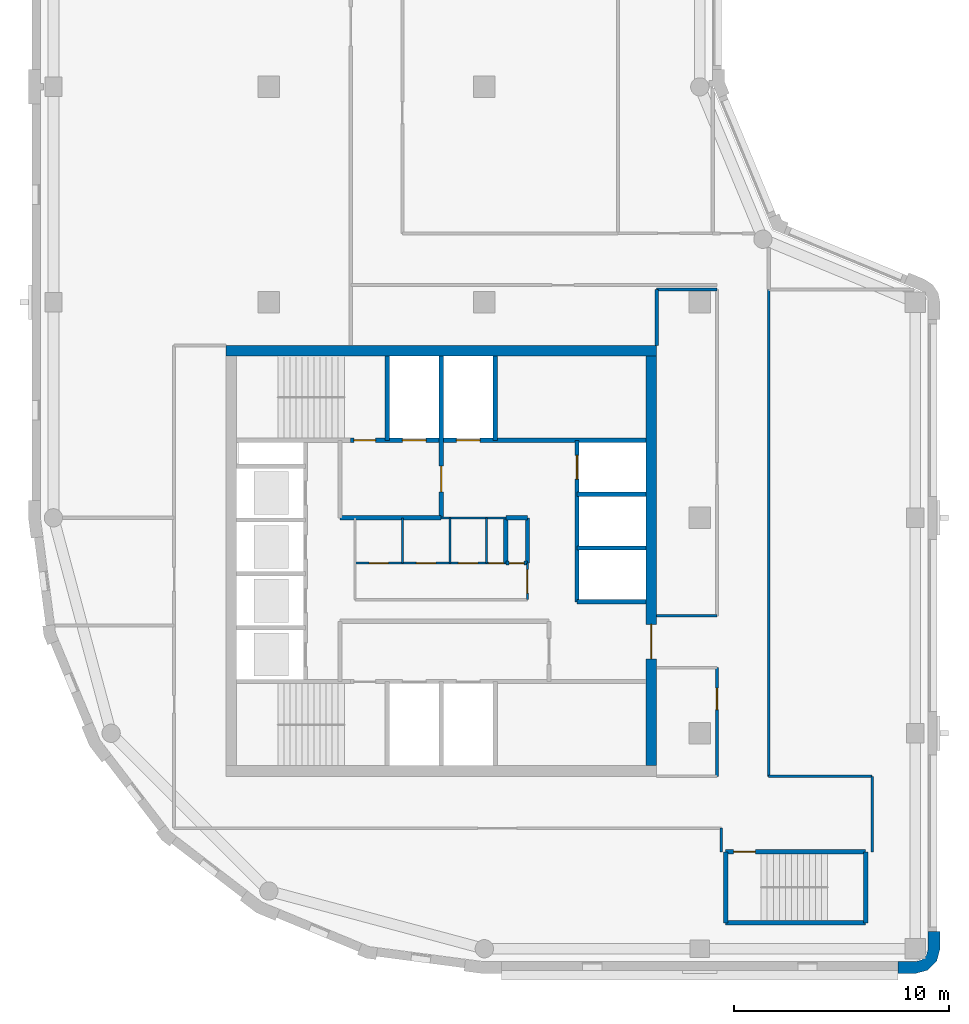
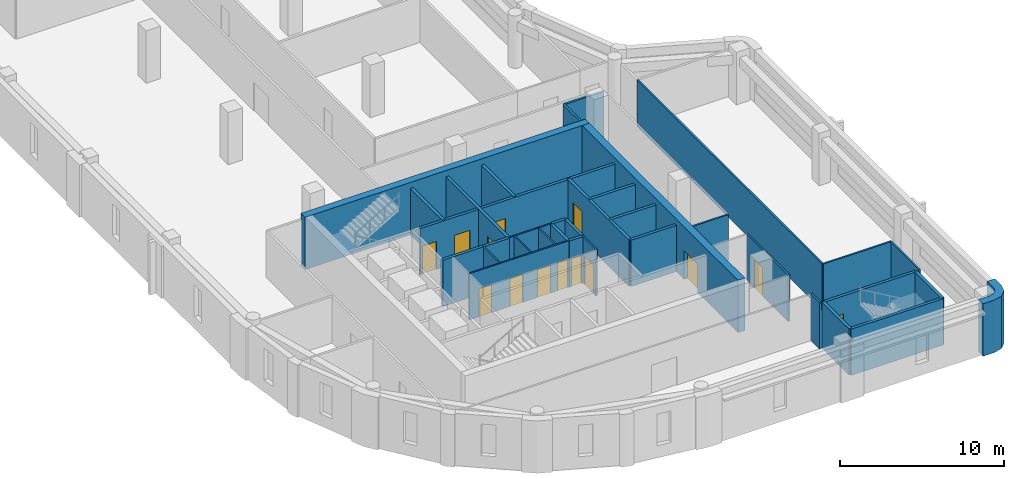
# One storey, part 3 of 8: 34 walls, 14 doors, 14 openings.
"""IFC4 building model written with IfcOpenShell, lengths in metres."""

from ifc_helpers import new_model, si_unit, direction, frame, frame_2d, origin, place, context, subcontext, project, spatial, polyline, rectangle, outline, extrude, material, layer, layer_set, type_object, element, fill, save


model = new_model("IFC4")

# Units and contexts
model_context = context("Model", 3, precision=1e-05, world=origin(), true_north=direction((0.0, 1.0)))
body_context = subcontext(model_context, "Body", "Model", "MODEL_VIEW")
ifc_project = project(units=[si_unit("LENGTHUNIT", "METRE"), si_unit("AREAUNIT", "SQUARE_METRE"), si_unit("VOLUMEUNIT", "CUBIC_METRE"), si_unit("PLANEANGLEUNIT", "RADIAN"), si_unit("MASSUNIT", "GRAM", prefix="KILO")], contexts=[model_context])

# Site, building, storey
site_placement = place(None, origin())
site = spatial("IfcSite", under=ifc_project, at=site_placement, CompositionType="ELEMENT")
building_placement = place(site_placement, origin())
building = spatial("IfcBuilding", under=site, at=building_placement, Name="Qaws Garden Tower", CompositionType="ELEMENT")
storey_placement = place(building_placement, frame((0.0, 0.0, 348.89990234375)))
storey = spatial("IfcBuildingStorey", under=building, at=storey_placement, Name="L85", CompositionType="ELEMENT", Elevation=348.89990234375)

# Wall
ifc_material_1 = material(Name="Buff clay facing brick masonry", Category="masonry")
ifc_layer_1 = layer(ifc_material_1, 0.550048828125)
ifc_layer_set_1 = layer_set([ifc_layer_1], Name="Buff clay facing brick masonry")
wall_type_1 = type_object("IfcWallType", Name="Buff brick corner pier 550 x 2400", PredefinedType="SOLIDWALL", material=ifc_layer_set_1)
wall_1_placement = place(storey_placement, origin())
element("IfcWall", 1, at=wall_1_placement, inside=storey, type_object=wall_type_1, Name="E-L85-pier-02", PredefinedType="SOLIDWALL", context=body_context, shape_type="SweptSolid", body=[
    extrude(outline(polyline([(39.199951171875, -1.0), (39.199951171875, -1.14990234375), (40.0, -1.14990234375), (40.574951171875, -0.995849609375), (40.995849609375, -0.574951171875), (41.14990234375, 0.0), (41.14990234375, 0.800048828125), (41.0, 0.800048828125), (40.60009765625, 0.800048828125), (40.60009765625, 0.0), (40.51953125, -0.300048828125), (40.300048828125, -0.51953125), (40.0, -0.60009765625), (39.199951171875, -0.60009765625), (39.199951171875, -1.0)])), origin(), (0.0, 0.0, 1.0), 3.900146484375),
])

# Wall, openings, doors
ifc_material_2 = material(Name="Plasterboard")
ifc_layer_2 = layer(ifc_material_2, 0.10009765625)
ifc_layer_set_2 = layer_set([ifc_layer_2], Name="Plasterboard")
wall_type_2 = type_object("IfcWallType", Name="Core partition 100", PredefinedType="PARTITIONING", material=ifc_layer_set_2)
wall_2_placement = place(storey_placement, frame((14.0, 17.89990234375, 0.0), z_axis=(0.0, 0.0, 1.0), x_axis=(1.0, 0.0, 0.0)))
wall_2 = element("IfcWall", 2, at=wall_2_placement, inside=storey, type_object=wall_type_2, Name="Core partition", PredefinedType="PARTITIONING", context=body_context, shape_type="SweptSolid", body=[
    extrude(rectangle(XDim=7.0, YDim=0.10009765625, at=frame_2d((3.5, 0.0))), origin(), (0.0, 0.0, 1.0), 3.4501953125),
])
opening_1_placement = place(wall_2_placement, frame((0.64990234375, 0.0, 0.0)))
opening_1 = element("IfcOpeningElement", 3, at=opening_1_placement, cuts=wall_2, Name="Opening WD18", PredefinedType="OPENING", context=body_context, shape_type="SweptSolid", body=[
    extrude(rectangle(XDim=0.89990234375, YDim=2.10009765625, at=frame_2d((0.449951171875, 1.050048828125))), frame((0.0, 0.06005859375, 0.0), z_axis=(0.0, -1.0, 0.0), x_axis=(1.0, 0.0, 0.0)), (0.0, 0.0, 1.0), 0.1201171875),
])
opening_2_placement = place(wall_2_placement, frame((2.85009765625, 0.0, 0.0)))
opening_2 = element("IfcOpeningElement", 4, at=opening_2_placement, cuts=wall_2, Name="Opening WD19", PredefinedType="OPENING", context=body_context, shape_type="SweptSolid", body=[
    extrude(rectangle(XDim=0.89990234375, YDim=2.10009765625, at=frame_2d((0.449951171875, 1.050048828125))), frame((0.0, 0.06005859375, 0.0), z_axis=(0.0, -1.0, 0.0), x_axis=(1.0, 0.0, 0.0)), (0.0, 0.0, 1.0), 0.1201171875),
])
opening_3_placement = place(wall_2_placement, frame((4.800048828125, 0.0, 0.0)))
opening_3 = element("IfcOpeningElement", 5, at=opening_3_placement, cuts=wall_2, Name="Opening WD20", PredefinedType="OPENING", context=body_context, shape_type="SweptSolid", body=[
    extrude(rectangle(XDim=0.89990234375, YDim=2.10009765625, at=frame_2d((0.449951171875, 1.050048828125))), frame((0.0, 0.06005859375, 0.0), z_axis=(0.0, -1.0, 0.0), x_axis=(1.0, 0.0, 0.0)), (0.0, 0.0, 1.0), 0.1201171875),
])
opening_4_placement = place(wall_2_placement, frame((6.199951171875, 0.0, 0.0)))
opening_4 = element("IfcOpeningElement", 6, at=opening_4_placement, cuts=wall_2, Name="Opening XD21", PredefinedType="OPENING", context=body_context, shape_type="SweptSolid", body=[
    extrude(rectangle(XDim=0.699951171875, YDim=2.10009765625, at=frame_2d((0.35009765625, 1.050048828125))), frame((0.0, 0.06005859375, 0.0), z_axis=(0.0, -1.0, 0.0), x_axis=(1.0, 0.0, 0.0)), (0.0, 0.0, 1.0), 0.1201171875),
])
ifc_material_3 = material(Name="Timber", Category="wood")
door_type_1 = type_object("IfcDoorType", Name="Store door 700x2100", OperationType="SINGLE_SWING_LEFT", PredefinedType="DOOR", material=ifc_material_3)
door_1_placement = place(opening_4_placement, origin())
door_1 = element("IfcDoor", 7, at=door_1_placement, inside=storey, type_object=door_type_1, Name="Cleaner's store door", OperationType="SINGLE_SWING_RIGHT", OverallHeight=2.10009765625, OverallWidth=0.699951171875, PredefinedType="DOOR", context=body_context, shape_type="SweptSolid", body=[
    extrude(rectangle(XDim=0.699951171875, YDim=2.10009765625, at=frame_2d((0.35009765625, 1.050048828125))), frame((0.0, 0.02490234375, 0.0), z_axis=(0.0, -1.0, 0.0), x_axis=(1.0, 0.0, 0.0)), (0.0, 0.0, 1.0), 0.050048828125),
])
fill(opening_4, door_1)
ifc_material_4 = material(Name="Timber", Category="wood")
door_type_2 = type_object("IfcDoorType", Name="WC door 900x2100", OperationType="SINGLE_SWING_LEFT", PredefinedType="DOOR", material=ifc_material_4)
door_2_placement = place(opening_1_placement, origin())
door_2 = element("IfcDoor", 8, at=door_2_placement, inside=storey, type_object=door_type_2, Name="Men's WC door", OperationType="SINGLE_SWING_RIGHT", OverallHeight=2.10009765625, OverallWidth=0.89990234375, PredefinedType="DOOR", context=body_context, shape_type="SweptSolid", body=[
    extrude(rectangle(XDim=0.89990234375, YDim=2.10009765625, at=frame_2d((0.449951171875, 1.050048828125))), frame((0.0, 0.02490234375, 0.0), z_axis=(0.0, -1.0, 0.0), x_axis=(1.0, 0.0, 0.0)), (0.0, 0.0, 1.0), 0.050048828125),
])
fill(opening_1, door_2)
door_3_placement = place(opening_2_placement, origin())
door_3 = element("IfcDoor", 9, at=door_3_placement, inside=storey, type_object=door_type_2, Name="Women's WC door", OperationType="SINGLE_SWING_RIGHT", OverallHeight=2.10009765625, OverallWidth=0.89990234375, PredefinedType="DOOR", context=body_context, shape_type="SweptSolid", body=[
    extrude(rectangle(XDim=0.89990234375, YDim=2.10009765625, at=frame_2d((0.449951171875, 1.050048828125))), frame((0.0, 0.02490234375, 0.0), z_axis=(0.0, -1.0, 0.0), x_axis=(1.0, 0.0, 0.0)), (0.0, 0.0, 1.0), 0.050048828125),
])
fill(opening_2, door_3)
door_4_placement = place(opening_3_placement, origin())
door_4 = element("IfcDoor", 10, at=door_4_placement, inside=storey, type_object=door_type_2, Name="Accessible WC door", OperationType="SINGLE_SWING_RIGHT", OverallHeight=2.10009765625, OverallWidth=0.89990234375, PredefinedType="DOOR", context=body_context, shape_type="SweptSolid", body=[
    extrude(rectangle(XDim=0.89990234375, YDim=2.10009765625, at=frame_2d((0.449951171875, 1.050048828125))), frame((0.0, 0.02490234375, 0.0), z_axis=(0.0, -1.0, 0.0), x_axis=(1.0, 0.0, 0.0)), (0.0, 0.0, 1.0), 0.050048828125),
])
fill(opening_3, door_4)

# Walls
wall_3_placement = place(storey_placement, frame((18.0, 20.0, 0.0), z_axis=(0.0, 0.0, 1.0), x_axis=(1.0, 0.0, 0.0)))
element("IfcWall", 11, at=wall_3_placement, inside=storey, type_object=wall_type_2, Name="Core partition", PredefinedType="PARTITIONING", context=body_context, shape_type="SweptSolid", body=[
    extrude(rectangle(XDim=3.0, YDim=0.10009765625, at=frame_2d((1.5, 0.0))), origin(), (0.0, 0.0, 1.0), 3.4501953125),
])
for number, where, z_axis, x_axis, name in (
    (12, (16.199951171875, 17.89990234375, 0.0), (0.0, 0.0, 1.0), (0.0, 1.0, 0.0), "Core partition"),
    (13, (18.39990234375, 17.89990234375, 0.0), (0.0, 0.0, 1.0), (0.0, 1.0, 0.0), "Core partition"),
    (14, (20.10009765625, 17.89990234375, 0.0), (0.0, 0.0, 1.0), (0.0, 1.0, 0.0), "Core partition"),
):
    element("IfcWall", number, at=place(storey_placement, frame(where, z_axis=z_axis, x_axis=x_axis)), inside=storey, type_object=wall_type_2, Name=name, PredefinedType="PARTITIONING", context=body_context, shape_type="SweptSolid", body=[
        extrude(rectangle(XDim=2.10009765625, YDim=0.10009765625, at=frame_2d((1.050048828125, 0.0))), origin(), (0.0, 0.0, 1.0), 3.4501953125),
    ])

# Wall, opening, door
wall_4_placement = place(storey_placement, frame((22.0, 16.199951171875, 0.0), z_axis=(0.0, 0.0, 1.0), x_axis=(0.0, 1.0, 0.0)))
wall_4 = element("IfcWall", 15, at=wall_4_placement, inside=storey, type_object=wall_type_2, Name="Core partition", PredefinedType="PARTITIONING", context=body_context, shape_type="SweptSolid", body=[
    extrude(rectangle(XDim=1.699951171875, YDim=0.10009765625, at=frame_2d((0.85009765625, 0.0))), origin(), (0.0, 0.0, 1.0), 3.4501953125),
])
opening_5_placement = place(wall_4_placement, frame((0.300048828125, 0.0, 0.0)))
opening_5 = element("IfcOpeningElement", 16, at=opening_5_placement, cuts=wall_4, Name="Opening WL17", PredefinedType="OPENING", context=body_context, shape_type="SweptSolid", body=[
    extrude(rectangle(XDim=1.10009765625, YDim=2.10009765625, at=frame_2d((0.550048828125, 1.050048828125))), frame((0.0, 0.06005859375, 0.0), z_axis=(0.0, -1.0, 0.0), x_axis=(1.0, 0.0, 0.0)), (0.0, 0.0, 1.0), 0.1201171875),
])
ifc_material_5 = material(Name="Timber", Category="wood")
door_type_3 = type_object("IfcDoorType", Name="WC lobby door 1100x2100", OperationType="SINGLE_SWING_LEFT", PredefinedType="DOOR", material=ifc_material_5)
door_5_placement = place(opening_5_placement, origin())
door_5 = element("IfcDoor", 17, at=door_5_placement, inside=storey, type_object=door_type_3, Name="WC lobby door", OperationType="SINGLE_SWING_RIGHT", OverallHeight=2.10009765625, OverallWidth=1.10009765625, PredefinedType="DOOR", context=body_context, shape_type="SweptSolid", body=[
    extrude(rectangle(XDim=1.10009765625, YDim=2.10009765625, at=frame_2d((0.550048828125, 1.050048828125))), frame((0.0, 0.02490234375, 0.0), z_axis=(0.0, -1.0, 0.0), x_axis=(1.0, 0.0, 0.0)), (0.0, 0.0, 1.0), 0.050048828125),
])
fill(opening_5, door_5)

# Wall
ifc_material_6 = material(Name="Concrete C60", Category="concrete")
ifc_layer_3 = layer(ifc_material_6, 0.199951171875)
ifc_layer_set_3 = layer_set([ifc_layer_3], Name="Concrete C60")
wall_type_3 = type_object("IfcWallType", Name="Core shaft wall 200 C60", PredefinedType="SHEAR", material=ifc_layer_set_3)
wall_5_placement = place(storey_placement, frame((31.199951171875, 1.199951171875, 0.0), z_axis=(0.0, 0.0, 1.0), x_axis=(1.0, 0.0, 0.0)))
element("IfcWall", 18, at=wall_5_placement, inside=storey, type_object=wall_type_3, Name="Shaft wall", PredefinedType="SHEAR", context=body_context, shape_type="SweptSolid", body=[
    extrude(rectangle(XDim=6.5, YDim=0.199951171875, at=frame_2d((3.25, 0.0))), origin(), (0.0, 0.0, 1.0), 3.4501953125),
])

# Wall, opening, door
wall_6_placement = place(storey_placement, frame((31.199951171875, 4.5, 0.0), z_axis=(0.0, 0.0, 1.0), x_axis=(1.0, 0.0, 0.0)))
wall_6 = element("IfcWall", 19, at=wall_6_placement, inside=storey, type_object=wall_type_3, Name="Shaft wall", PredefinedType="SHEAR", context=body_context, shape_type="SweptSolid", body=[
    extrude(rectangle(XDim=6.5, YDim=0.199951171875, at=frame_2d((3.25, 0.0))), origin(), (0.0, 0.0, 1.0), 3.4501953125),
])
opening_6_placement = place(wall_6_placement, frame((0.375, 0.0, 0.0)))
opening_6 = element("IfcOpeningElement", 20, at=opening_6_placement, cuts=wall_6, Name="Opening SD12", PredefinedType="OPENING", context=body_context, shape_type="SweptSolid", body=[
    extrude(rectangle(XDim=1.0, YDim=2.10009765625, at=frame_2d((0.5, 1.050048828125))), frame((0.0, 0.10986328125, 0.0), z_axis=(0.0, -1.0, 0.0), x_axis=(1.0, 0.0, 0.0)), (0.0, 0.0, 1.0), 0.219970703125),
])
ifc_material_7 = material(Name="Steel S235", Category="steel")
door_type_4 = type_object("IfcDoorType", Name="Stair door 1000x2100", OperationType="SINGLE_SWING_RIGHT", PredefinedType="DOOR", material=ifc_material_7)
door_6_placement = place(opening_6_placement, frame((1.0, 0.0, 0.0), z_axis=(0.0, 0.0, 1.0), x_axis=(-1.0, 0.0, 0.0)))
door_6 = element("IfcDoor", 21, at=door_6_placement, inside=storey, type_object=door_type_4, Name="Stair 5 door", OperationType="SINGLE_SWING_RIGHT", OverallHeight=2.10009765625, OverallWidth=1.0, PredefinedType="DOOR", context=body_context, shape_type="SweptSolid", body=[
    extrude(rectangle(XDim=1.0, YDim=2.10009765625, at=frame_2d((0.5, 1.050048828125))), frame((0.0, 0.02490234375, 0.0), z_axis=(0.0, -1.0, 0.0), x_axis=(1.0, 0.0, 0.0)), (0.0, 0.0, 1.0), 0.050048828125),
])
fill(opening_6, door_6)

# Wall
wall_7_placement = place(storey_placement, frame((24.300048828125, 16.10009765625, 0.0), z_axis=(0.0, 0.0, 1.0), x_axis=(1.0, 0.0, 0.0)))
element("IfcWall", 22, at=wall_7_placement, inside=storey, type_object=wall_type_3, Name="Shaft wall", PredefinedType="SHEAR", context=body_context, shape_type="SweptSolid", body=[
    extrude(rectangle(XDim=3.199951171875, YDim=0.199951171875, at=frame_2d((1.60009765625, 0.0))), origin(), (0.0, 0.0, 1.0), 3.4501953125),
])

# Wall, opening, door
wall_8_placement = place(storey_placement, frame((21.0, 17.89990234375, 0.0), z_axis=(0.0, 0.0, 1.0), x_axis=(1.0, 0.0, 0.0)))
wall_8 = element("IfcWall", 23, at=wall_8_placement, inside=storey, type_object=wall_type_3, Name="Shaft wall", PredefinedType="SHEAR", context=body_context, shape_type="SweptSolid", body=[
    extrude(rectangle(XDim=1.0, YDim=0.199951171875, at=frame_2d((0.5, 0.0))), origin(), (0.0, 0.0, 1.0), 3.4501953125),
])
opening_7_placement = place(wall_8_placement, frame((0.14990234375, 0.0, 0.0)))
opening_7 = element("IfcOpeningElement", 24, at=opening_7_placement, cuts=wall_8, Name="Opening XD22", PredefinedType="OPENING", context=body_context, shape_type="SweptSolid", body=[
    extrude(rectangle(XDim=0.699951171875, YDim=2.10009765625, at=frame_2d((0.35009765625, 1.050048828125))), frame((0.0, 0.10986328125, 0.0), z_axis=(0.0, -1.0, 0.0), x_axis=(1.0, 0.0, 0.0)), (0.0, 0.0, 1.0), 0.219970703125),
])
door_7_placement = place(opening_7_placement, origin())
door_7 = element("IfcDoor", 25, at=door_7_placement, inside=storey, type_object=door_type_1, Name="Telecom riser door", OperationType="SINGLE_SWING_RIGHT", OverallHeight=2.10009765625, OverallWidth=0.699951171875, PredefinedType="DOOR", context=body_context, shape_type="SweptSolid", body=[
    extrude(rectangle(XDim=0.699951171875, YDim=2.10009765625, at=frame_2d((0.35009765625, 1.050048828125))), frame((0.0, 0.02490234375, 0.0), z_axis=(0.0, -1.0, 0.0), x_axis=(1.0, 0.0, 0.0)), (0.0, 0.0, 1.0), 0.050048828125),
])
fill(opening_7, door_7)

# Walls
wall_9_placement = place(storey_placement, frame((24.300048828125, 18.60009765625, 0.0), z_axis=(0.0, 0.0, 1.0), x_axis=(1.0, 0.0, 0.0)))
element("IfcWall", 26, at=wall_9_placement, inside=storey, type_object=wall_type_3, Name="Shaft wall", PredefinedType="SHEAR", context=body_context, shape_type="SweptSolid", body=[
    extrude(rectangle(XDim=3.199951171875, YDim=0.199951171875, at=frame_2d((1.60009765625, 0.0))), origin(), (0.0, 0.0, 1.0), 3.4501953125),
])
wall_10_placement = place(storey_placement, frame((13.300048828125, 20.0, 0.0), z_axis=(0.0, 0.0, 1.0), x_axis=(1.0, 0.0, 0.0)))
element("IfcWall", 27, at=wall_10_placement, inside=storey, type_object=wall_type_3, Name="Shaft wall", PredefinedType="SHEAR", context=body_context, shape_type="SweptSolid", body=[
    extrude(rectangle(XDim=4.699951171875, YDim=0.199951171875, at=frame_2d((2.35009765625, 0.0))), origin(), (0.0, 0.0, 1.0), 3.4501953125),
])
wall_11_placement = place(storey_placement, frame((21.0, 20.0, 0.0), z_axis=(0.0, 0.0, 1.0), x_axis=(1.0, 0.0, 0.0)))
element("IfcWall", 28, at=wall_11_placement, inside=storey, type_object=wall_type_3, Name="Shaft wall", PredefinedType="SHEAR", context=body_context, shape_type="SweptSolid", body=[
    extrude(rectangle(XDim=1.0, YDim=0.199951171875, at=frame_2d((0.5, 0.0))), origin(), (0.0, 0.0, 1.0), 3.4501953125),
])
wall_12_placement = place(storey_placement, frame((24.300048828125, 21.10009765625, 0.0), z_axis=(0.0, 0.0, 1.0), x_axis=(1.0, 0.0, 0.0)))
element("IfcWall", 29, at=wall_12_placement, inside=storey, type_object=wall_type_3, Name="Shaft wall", PredefinedType="SHEAR", context=body_context, shape_type="SweptSolid", body=[
    extrude(rectangle(XDim=3.199951171875, YDim=0.199951171875, at=frame_2d((1.60009765625, 0.0))), origin(), (0.0, 0.0, 1.0), 3.4501953125),
])

# Wall, openings, doors
wall_13_placement = place(storey_placement, frame((13.800048828125, 23.60009765625, 0.0), z_axis=(0.0, 0.0, 1.0), x_axis=(1.0, 0.0, 0.0)))
wall_13 = element("IfcWall", 30, at=wall_13_placement, inside=storey, type_object=wall_type_3, Name="Shaft wall", PredefinedType="SHEAR", context=body_context, shape_type="SweptSolid", body=[
    extrude(rectangle(XDim=13.699951171875, YDim=0.199951171875, at=frame_2d((6.85009765625, 0.0))), origin(), (0.0, 0.0, 1.0), 3.4501953125),
])
opening_8_placement = place(wall_13_placement, frame((2.39990234375, 0.0, 0.0)))
opening_8 = element("IfcOpeningElement", 31, at=opening_8_placement, cuts=wall_13, Name="Opening LD08", PredefinedType="OPENING", context=body_context, shape_type="SweptSolid", body=[
    extrude(rectangle(XDim=1.10009765625, YDim=2.10009765625, at=frame_2d((0.550048828125, 1.050048828125))), frame((0.0, 0.10986328125, 0.0), z_axis=(0.0, -1.0, 0.0), x_axis=(1.0, 0.0, 0.0)), (0.0, 0.0, 1.0), 0.219970703125),
])
opening_9_placement = place(wall_13_placement, frame((4.89990234375, 0.0, 0.0)))
opening_9 = element("IfcOpeningElement", 32, at=opening_9_placement, cuts=wall_13, Name="Opening LD09", PredefinedType="OPENING", context=body_context, shape_type="SweptSolid", body=[
    extrude(rectangle(XDim=1.10009765625, YDim=2.10009765625, at=frame_2d((0.550048828125, 1.050048828125))), frame((0.0, 0.10986328125, 0.0), z_axis=(0.0, -1.0, 0.0), x_axis=(1.0, 0.0, 0.0)), (0.0, 0.0, 1.0), 0.219970703125),
])
opening_10_placement = place(wall_13_placement, frame((0.14990234375, 0.0, 0.0)))
opening_10 = element("IfcOpeningElement", 33, at=opening_10_placement, cuts=wall_13, Name="Opening SD11", PredefinedType="OPENING", context=body_context, shape_type="SweptSolid", body=[
    extrude(rectangle(XDim=1.0, YDim=2.10009765625, at=frame_2d((0.5, 1.050048828125))), frame((0.0, 0.10986328125, 0.0), z_axis=(0.0, -1.0, 0.0), x_axis=(1.0, 0.0, 0.0)), (0.0, 0.0, 1.0), 0.219970703125),
])
ifc_material_8 = material(Name="Steel S235", Category="steel")
door_type_5 = type_object("IfcDoorType", Name="Landing door 1100x2100", OperationType="DOUBLE_DOOR_SLIDING", PredefinedType="DOOR", material=ifc_material_8)
door_8_placement = place(opening_8_placement, origin())
door_8 = element("IfcDoor", 34, at=door_8_placement, inside=storey, type_object=door_type_5, Name="Lift FF3 landing door", OperationType="DOUBLE_DOOR_SLIDING", OverallHeight=2.10009765625, OverallWidth=1.10009765625, PredefinedType="DOOR", context=body_context, shape_type="SweptSolid", body=[
    extrude(rectangle(XDim=1.10009765625, YDim=2.10009765625, at=frame_2d((0.550048828125, 1.050048828125))), frame((0.0, 0.02490234375, 0.0), z_axis=(0.0, -1.0, 0.0), x_axis=(1.0, 0.0, 0.0)), (0.0, 0.0, 1.0), 0.050048828125),
])
fill(opening_8, door_8)
door_9_placement = place(opening_9_placement, origin())
door_9 = element("IfcDoor", 35, at=door_9_placement, inside=storey, type_object=door_type_5, Name="Lift SV2 landing door", OperationType="DOUBLE_DOOR_SLIDING", OverallHeight=2.10009765625, OverallWidth=1.10009765625, PredefinedType="DOOR", context=body_context, shape_type="SweptSolid", body=[
    extrude(rectangle(XDim=1.10009765625, YDim=2.10009765625, at=frame_2d((0.550048828125, 1.050048828125))), frame((0.0, 0.02490234375, 0.0), z_axis=(0.0, -1.0, 0.0), x_axis=(1.0, 0.0, 0.0)), (0.0, 0.0, 1.0), 0.050048828125),
])
fill(opening_9, door_9)
door_10_placement = place(opening_10_placement, origin())
door_10 = element("IfcDoor", 36, at=door_10_placement, inside=storey, type_object=door_type_4, Name="Stair 4 door", OperationType="SINGLE_SWING_RIGHT", OverallHeight=2.10009765625, OverallWidth=1.0, PredefinedType="DOOR", context=body_context, shape_type="SweptSolid", body=[
    extrude(rectangle(XDim=1.0, YDim=2.10009765625, at=frame_2d((0.5, 1.050048828125))), frame((0.0, 0.02490234375, 0.0), z_axis=(0.0, -1.0, 0.0), x_axis=(1.0, 0.0, 0.0)), (0.0, 0.0, 1.0), 0.050048828125),
])
fill(opening_10, door_10)

# Wall
wall_14_placement = place(storey_placement, frame((15.5, 23.60009765625, 0.0), z_axis=(0.0, 0.0, 1.0), x_axis=(0.0, 1.0, 0.0)))
element("IfcWall", 37, at=wall_14_placement, inside=storey, type_object=wall_type_3, Name="Shaft wall", PredefinedType="SHEAR", context=body_context, shape_type="SweptSolid", body=[
    extrude(rectangle(XDim=3.89990234375, YDim=0.199951171875, at=frame_2d((1.949951171875, 0.0))), origin(), (0.0, 0.0, 1.0), 3.4501953125),
])

# Wall, opening, door
wall_15_placement = place(storey_placement, frame((18.0, 20.0, 0.0), z_axis=(0.0, 0.0, 1.0), x_axis=(0.0, 1.0, 0.0)))
wall_15 = element("IfcWall", 38, at=wall_15_placement, inside=storey, type_object=wall_type_3, Name="Shaft wall", PredefinedType="SHEAR", context=body_context, shape_type="SweptSolid", body=[
    extrude(rectangle(XDim=7.5, YDim=0.199951171875, at=frame_2d((3.75, 0.0))), origin(), (0.0, 0.0, 1.0), 3.4501953125),
])
opening_11_placement = place(wall_15_placement, frame((1.199951171875, 0.0, 0.0)))
opening_11 = element("IfcOpeningElement", 39, at=opening_11_placement, cuts=wall_15, Name="Opening FD16", PredefinedType="OPENING", context=body_context, shape_type="SweptSolid", body=[
    extrude(rectangle(XDim=1.199951171875, YDim=2.10009765625, at=frame_2d((0.60009765625, 1.050048828125))), frame((0.0, 0.10986328125, 0.0), z_axis=(0.0, -1.0, 0.0), x_axis=(1.0, 0.0, 0.0)), (0.0, 0.0, 1.0), 0.219970703125),
])
ifc_material_9 = material(Name="Steel S235", Category="steel")
door_type_6 = type_object("IfcDoorType", Name="Lobby door 1200x2100", OperationType="DOUBLE_DOOR_SINGLE_SWING", PredefinedType="DOOR", material=ifc_material_9)
door_11_placement = place(opening_11_placement, origin())
door_11 = element("IfcDoor", 40, at=door_11_placement, inside=storey, type_object=door_type_6, Name="Fire-fighting lobby door", OperationType="DOUBLE_DOOR_SINGLE_SWING", OverallHeight=2.10009765625, OverallWidth=1.199951171875, PredefinedType="DOOR", context=body_context, shape_type="SweptSolid", body=[
    extrude(rectangle(XDim=1.199951171875, YDim=2.10009765625, at=frame_2d((0.60009765625, 1.050048828125))), frame((0.0, 0.02490234375, 0.0), z_axis=(0.0, -1.0, 0.0), x_axis=(1.0, 0.0, 0.0)), (0.0, 0.0, 1.0), 0.050048828125),
])
fill(opening_11, door_11)

# Walls
wall_16_placement = place(storey_placement, frame((20.5, 23.60009765625, 0.0), z_axis=(0.0, 0.0, 1.0), x_axis=(0.0, 1.0, 0.0)))
element("IfcWall", 41, at=wall_16_placement, inside=storey, type_object=wall_type_3, Name="Shaft wall", PredefinedType="SHEAR", context=body_context, shape_type="SweptSolid", body=[
    extrude(rectangle(XDim=3.89990234375, YDim=0.199951171875, at=frame_2d((1.949951171875, 0.0))), origin(), (0.0, 0.0, 1.0), 3.4501953125),
])
for number, where, z_axis, x_axis, name in (
    (42, (21.0, 17.89990234375, 0.0), (0.0, 0.0, 1.0), (0.0, 1.0, 0.0), "Shaft wall"),
    (43, (22.0, 17.89990234375, 0.0), (0.0, 0.0, 1.0), (0.0, 1.0, 0.0), "Shaft wall"),
):
    element("IfcWall", number, at=place(storey_placement, frame(where, z_axis=z_axis, x_axis=x_axis)), inside=storey, type_object=wall_type_3, Name=name, PredefinedType="SHEAR", context=body_context, shape_type="SweptSolid", body=[
        extrude(rectangle(XDim=2.10009765625, YDim=0.199951171875, at=frame_2d((1.050048828125, 0.0))), origin(), (0.0, 0.0, 1.0), 3.4501953125),
    ])

# Wall, opening, door
wall_17_placement = place(storey_placement, frame((24.300048828125, 16.10009765625, 0.0), z_axis=(0.0, 0.0, 1.0), x_axis=(0.0, 1.0, 0.0)))
wall_17 = element("IfcWall", 44, at=wall_17_placement, inside=storey, type_object=wall_type_3, Name="Shaft wall", PredefinedType="SHEAR", context=body_context, shape_type="SweptSolid", body=[
    extrude(rectangle(XDim=7.5, YDim=0.199951171875, at=frame_2d((3.75, 0.0))), origin(), (0.0, 0.0, 1.0), 3.4501953125),
])
opening_12_placement = place(wall_17_placement, frame((5.699951171875, 0.0, 0.0)))
opening_12 = element("IfcOpeningElement", 45, at=opening_12_placement, cuts=wall_17, Name="Opening LD05", PredefinedType="OPENING", context=body_context, shape_type="SweptSolid", body=[
    extrude(rectangle(XDim=1.10009765625, YDim=2.10009765625, at=frame_2d((0.550048828125, 1.050048828125))), frame((0.0, 0.10986328125, 0.0), z_axis=(0.0, -1.0, 0.0), x_axis=(1.0, 0.0, 0.0)), (0.0, 0.0, 1.0), 0.219970703125),
])
door_12_placement = place(opening_12_placement, origin())
door_12 = element("IfcDoor", 46, at=door_12_placement, inside=storey, type_object=door_type_5, Name="Lift E3 landing door", OperationType="DOUBLE_DOOR_SLIDING", OverallHeight=2.10009765625, OverallWidth=1.10009765625, PredefinedType="DOOR", context=body_context, shape_type="SweptSolid", body=[
    extrude(rectangle(XDim=1.10009765625, YDim=2.10009765625, at=frame_2d((0.550048828125, 1.050048828125))), frame((0.0, 0.02490234375, 0.0), z_axis=(0.0, -1.0, 0.0), x_axis=(1.0, 0.0, 0.0)), (0.0, 0.0, 1.0), 0.050048828125),
])
fill(opening_12, door_12)

# Walls
for number, where, z_axis, x_axis, name in (
    (47, (31.199951171875, 1.199951171875, 0.0), (0.0, 0.0, 1.0), (0.0, 1.0, 0.0), "Shaft wall"),
    (48, (37.699951171875, 1.199951171875, 0.0), (0.0, 0.0, 1.0), (0.0, 1.0, 0.0), "Shaft wall"),
):
    element("IfcWall", number, at=place(storey_placement, frame(where, z_axis=z_axis, x_axis=x_axis)), inside=storey, type_object=wall_type_3, Name=name, PredefinedType="SHEAR", context=body_context, shape_type="SweptSolid", body=[
        extrude(rectangle(XDim=3.300048828125, YDim=0.199951171875, at=frame_2d((1.64990234375, 0.0))), origin(), (0.0, 0.0, 1.0), 3.4501953125),
    ])

# Wall, opening, door
ifc_material_10 = material(Name="Concrete C60", Category="concrete")
ifc_layer_4 = layer(ifc_material_10, 0.5)
ifc_layer_set_4 = layer_set([ifc_layer_4], Name="Concrete C60")
wall_type_4 = type_object("IfcWallType", Name="Core wall 500 C60", PredefinedType="SHEAR", material=ifc_layer_set_4)
wall_18_placement = place(storey_placement, frame((27.75, 8.5, 0.0), z_axis=(0.0, 0.0, 1.0), x_axis=(0.0, 1.0, 0.0)))
wall_18 = element("IfcWall", 49, at=wall_18_placement, inside=storey, type_object=wall_type_4, Name="Core wall L85 east", PredefinedType="SHEAR", context=body_context, shape_type="SweptSolid", body=[
    extrude(rectangle(XDim=19.0, YDim=0.5, at=frame_2d((9.5, 0.0))), origin(), (0.0, 0.0, 1.0), 3.900146484375),
])
opening_13_placement = place(wall_18_placement, frame((4.949951171875, 0.0, 0.0)))
opening_13 = element("IfcOpeningElement", 50, at=opening_13_placement, cuts=wall_18, Name="Opening ED23", PredefinedType="OPENING", context=body_context, shape_type="SweptSolid", body=[
    extrude(rectangle(XDim=1.60009765625, YDim=2.10009765625, at=frame_2d((0.800048828125, 1.050048828125))), frame((0.0, 0.260009765625, 0.0), z_axis=(0.0, -1.0, 0.0), x_axis=(1.0, 0.0, 0.0)), (0.0, 0.0, 1.0), 0.52001953125),
])
ifc_material_11 = material(Name="Steel S235", Category="steel")
door_type_7 = type_object("IfcDoorType", Name="Core entrance door 1600x2100", OperationType="DOUBLE_DOOR_SINGLE_SWING", PredefinedType="DOOR", material=ifc_material_11)
door_13_placement = place(opening_13_placement, origin())
door_13 = element("IfcDoor", 51, at=door_13_placement, inside=storey, type_object=door_type_7, Name="Core entrance door", OperationType="DOUBLE_DOOR_SINGLE_SWING", OverallHeight=2.10009765625, OverallWidth=1.60009765625, PredefinedType="DOOR", context=body_context, shape_type="SweptSolid", body=[
    extrude(rectangle(XDim=1.60009765625, YDim=2.10009765625, at=frame_2d((0.800048828125, 1.050048828125))), frame((0.0, 0.02490234375, 0.0), z_axis=(0.0, -1.0, 0.0), x_axis=(1.0, 0.0, 0.0)), (0.0, 0.0, 1.0), 0.050048828125),
])
fill(opening_13, door_13)

# Wall
wall_19_placement = place(storey_placement, frame((28.0, 27.75, 0.0), z_axis=(0.0, 0.0, 1.0), x_axis=(-1.0, 0.0, 0.0)))
element("IfcWall", 52, at=wall_19_placement, inside=storey, type_object=wall_type_4, Name="Core wall L85 north", PredefinedType="SHEAR", context=body_context, shape_type="SweptSolid", body=[
    extrude(rectangle(XDim=20.0, YDim=0.5, at=frame_2d((10.0, 0.0))), origin(), (0.0, 0.0, 1.0), 3.900146484375),
])

# Wall, opening, door
ifc_material_12 = material(Name="Glass and aluminium framing", Category="aluminium")
ifc_layer_5 = layer(ifc_material_12, 0.1201171875)
ifc_layer_set_5 = layer_set([ifc_layer_5], Name="Glass and aluminium framing")
wall_type_5 = type_object("IfcWallType", Name="GLAZED PARTITION 120 EI 30", PredefinedType="PARTITIONING", material=ifc_layer_set_5)
wall_20_placement = place(storey_placement, frame((30.800048828125, 8.0, 0.0), z_axis=(0.0, 0.0, 1.0), x_axis=(0.0, 1.0, 0.0)))
wall_20 = element("IfcWall", 53, at=wall_20_placement, inside=storey, type_object=wall_type_5, Name="O-L85-wall-029", PredefinedType="PARTITIONING", context=body_context, shape_type="SweptSolid", body=[
    extrude(rectangle(XDim=5.050048828125, YDim=0.1201171875, at=frame_2d((2.52490234375, 0.0))), origin(), (0.0, 0.0, 1.0), 3.4501953125),
])
opening_14_placement = place(wall_20_placement, frame((3.10009765625, 0.0, 0.0)))
opening_14 = element("IfcOpeningElement", 54, at=opening_14_placement, cuts=wall_20, Name="Opening C1008", PredefinedType="OPENING", context=body_context, shape_type="SweptSolid", body=[
    extrude(rectangle(XDim=1.0, YDim=2.10009765625, at=frame_2d((0.5, 1.050048828125))), frame((0.0, 0.070068359375, 0.0), z_axis=(0.0, -1.0, 0.0), x_axis=(1.0, 0.0, 0.0)), (0.0, 0.0, 1.0), 0.14013671875),
])
ifc_material_13 = material(Name="Timber door leaf", Category="wood")
door_type_8 = type_object("IfcDoorType", Name="TENANCY ENTRANCE DOOR 1000 X 2100", OperationType="SINGLE_SWING_LEFT", PredefinedType="DOOR", material=ifc_material_13)
door_14_placement = place(opening_14_placement, origin())
door_14 = element("IfcDoor", 55, at=door_14_placement, inside=storey, type_object=door_type_8, Name="O-L85-door-008", OperationType="SINGLE_SWING_RIGHT", OverallHeight=2.10009765625, OverallWidth=1.0, PredefinedType="DOOR", context=body_context, shape_type="SweptSolid", body=[
    extrude(rectangle(XDim=1.0, YDim=2.10009765625, at=frame_2d((0.5, 1.050048828125))), frame((0.0, 0.02490234375, 0.0), z_axis=(0.0, -1.0, 0.0), x_axis=(1.0, 0.0, 0.0)), (0.0, 0.0, 1.0), 0.050048828125),
])
fill(opening_14, door_14)

# Walls
wall_21_placement = place(storey_placement, frame((31.0, 4.5, 0.0), z_axis=(0.0, 0.0, 1.0), x_axis=(0.0, 1.0, 0.0)))
element("IfcWall", 56, at=wall_21_placement, inside=storey, type_object=wall_type_5, Name="O-L85-wall-031", PredefinedType="PARTITIONING", context=body_context, shape_type="SweptSolid", body=[
    extrude(rectangle(XDim=1.10009765625, YDim=0.1201171875, at=frame_2d((0.550048828125, 0.0))), origin(), (0.0, 0.0, 1.0), 3.4501953125),
])
wall_22_placement = place(storey_placement, frame((33.199951171875, 8.0, 0.0), z_axis=(0.0, 0.0, 1.0), x_axis=(0.0, 1.0, 0.0)))
element("IfcWall", 57, at=wall_22_placement, inside=storey, type_object=wall_type_5, Name="O-L85-wall-032", PredefinedType="PARTITIONING", context=body_context, shape_type="SweptSolid", body=[
    extrude(rectangle(XDim=22.60009765625, YDim=0.1201171875, at=frame_2d((11.300048828125, 0.0))), origin(), (0.0, 0.0, 1.0), 3.4501953125),
])
wall_23_placement = place(storey_placement, frame((38.0, 4.5, 0.0), z_axis=(0.0, 0.0, 1.0), x_axis=(0.0, 1.0, 0.0)))
element("IfcWall", 58, at=wall_23_placement, inside=storey, type_object=wall_type_5, Name="O-L85-wall-033", PredefinedType="PARTITIONING", context=body_context, shape_type="SweptSolid", body=[
    extrude(rectangle(XDim=3.5, YDim=0.1201171875, at=frame_2d((1.75, 0.0))), origin(), (0.0, 0.0, 1.0), 3.4501953125),
])
wall_24_placement = place(storey_placement, frame((33.199951171875, 8.0, 0.0), z_axis=(0.0, 0.0, 1.0), x_axis=(1.0, 0.0, 0.0)))
element("IfcWall", 59, at=wall_24_placement, inside=storey, type_object=wall_type_5, Name="O-L85-wall-036", PredefinedType="PARTITIONING", context=body_context, shape_type="SweptSolid", body=[
    extrude(rectangle(XDim=4.800048828125, YDim=0.1201171875, at=frame_2d((2.39990234375, 0.0))), origin(), (0.0, 0.0, 1.0), 3.4501953125),
])
wall_25_placement = place(storey_placement, frame((28.0, 15.449951171875, 0.0), z_axis=(0.0, 0.0, 1.0), x_axis=(1.0, 0.0, 0.0)))
element("IfcWall", 60, at=wall_25_placement, inside=storey, type_object=wall_type_5, Name="O-L85-wall-038", PredefinedType="PARTITIONING", context=body_context, shape_type="SweptSolid", body=[
    extrude(rectangle(XDim=2.800048828125, YDim=0.1201171875, at=frame_2d((1.39990234375, 0.0))), origin(), (0.0, 0.0, 1.0), 3.4501953125),
])
ifc_material_14 = material(Name="Gypsum board partition")
ifc_layer_6 = layer(ifc_material_14, 0.14990234375)
ifc_layer_set_6 = layer_set([ifc_layer_6], Name="Gypsum board partition")
wall_type_6 = type_object("IfcWallType", Name="PARTITION 150 EI 60", PredefinedType="PARTITIONING", material=ifc_layer_set_6)
wall_26_placement = place(storey_placement, frame((28.0, 28.0, 0.0), z_axis=(0.0, 0.0, 1.0), x_axis=(0.0, 1.0, 0.0)))
element("IfcWall", 61, at=wall_26_placement, inside=storey, type_object=wall_type_6, Name="O-L85-wall-010", PredefinedType="PARTITIONING", context=body_context, shape_type="SweptSolid", body=[
    extrude(rectangle(XDim=2.597900390625, YDim=0.14990234375, at=frame_2d((1.298828125, 0.0))), origin(), (0.0, 0.0, 1.0), 3.4501953125),
])
wall_27_placement = place(storey_placement, frame((28.001953125, 30.60009765625, 0.0), z_axis=(0.0, 0.0, 1.0), x_axis=(1.0, 0.0, 0.0)))
element("IfcWall", 62, at=wall_27_placement, inside=storey, type_object=wall_type_6, Name="O-L85-wall-016", PredefinedType="PARTITIONING", context=body_context, shape_type="SweptSolid", body=[
    extrude(rectangle(XDim=2.798095703125, YDim=0.14990234375, at=frame_2d((1.39892578125, 0.0))), origin(), (0.0, 0.0, 1.0), 3.4501953125),
])

save(model, "model.ifc")
